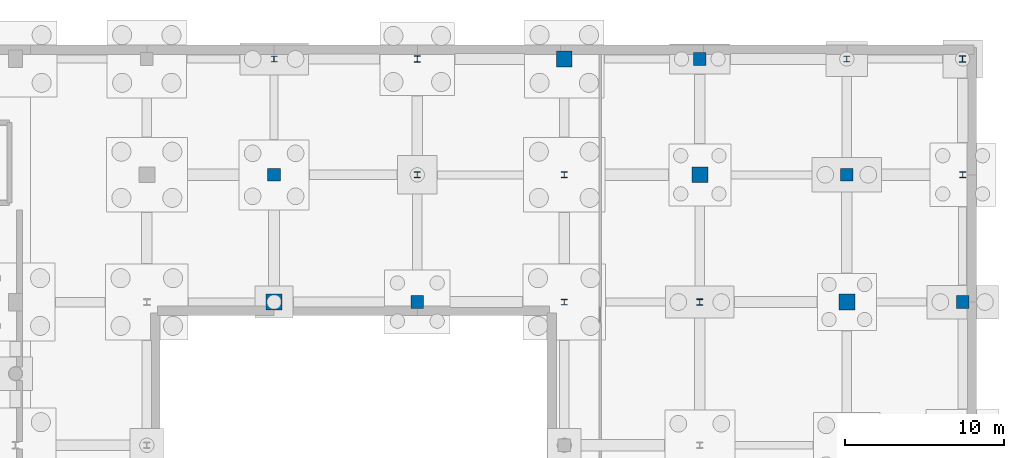
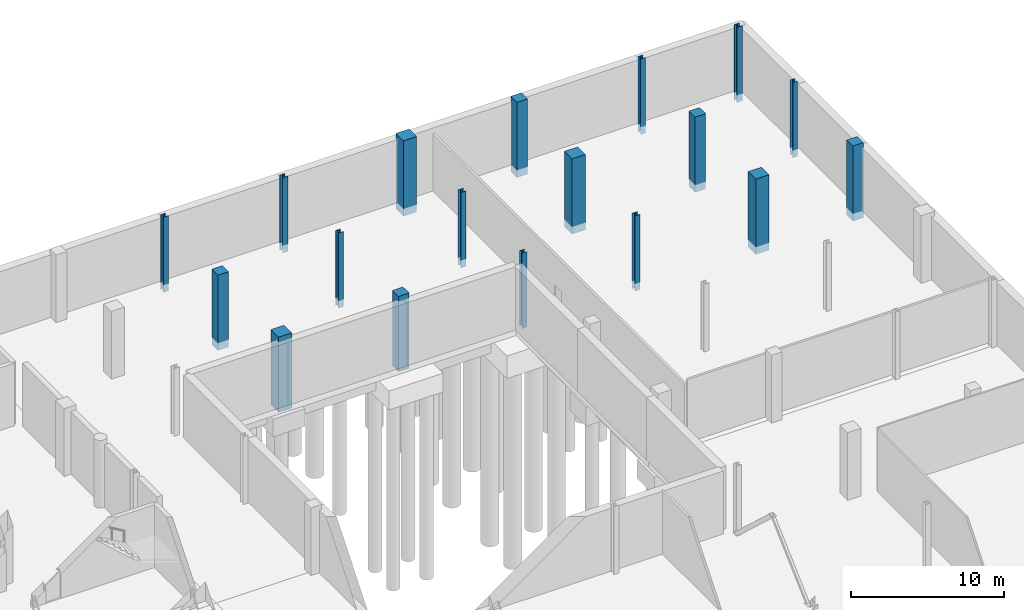
# One storey, part 35 of 60: 18 columns.
"""IFC4 building model written with IfcOpenShell, lengths in metres."""

from ifc_helpers import new_model, si_unit, direction, frame, origin, origin_2d, place, context, subcontext, project, spatial, rectangle, i_section, extrude, material, material_profile, profile_set, type_object, element, save


model = new_model("IFC4")

# Units and contexts
model_context = context("Model", 3, precision=1e-05, world=origin(), true_north=direction((0.0, 1.0)))
body_context = subcontext(model_context, "Body", "Model", "MODEL_VIEW")
ifc_project = project(units=[si_unit("LENGTHUNIT", "METRE"), si_unit("AREAUNIT", "SQUARE_METRE"), si_unit("VOLUMEUNIT", "CUBIC_METRE"), si_unit("PLANEANGLEUNIT", "RADIAN"), si_unit("MASSUNIT", "GRAM", prefix="KILO")], contexts=[model_context])

# Site, building, storey
site_placement = place(None, origin())
site = spatial("IfcSite", under=ifc_project, at=site_placement, CompositionType="ELEMENT")
building_placement = place(site_placement, origin())
building = spatial("IfcBuilding", under=site, at=building_placement, Name="Trimount Lyric Opera House", CompositionType="ELEMENT")
storey_placement = place(building_placement, frame((0.0, 0.0, -5.39990234375)))
storey = spatial("IfcBuildingStorey", under=building, at=storey_placement, Name="B1", CompositionType="ELEMENT", Elevation=-5.39990234375)

# Columns
ifc_material_1 = material(Name="Steel ASTM A992 Grade 50", Category="steel")
ifc_material_profile_1 = material_profile(ifc_material_1, i_section(OverallWidth=0.39892578125, OverallDepth=0.385986328125, WebThickness=0.02099609375, FlangeThickness=0.033203125, FilletRadius=0.01611328125, at=origin_2d()), Name="W14X176")
ifc_profile_set_1 = profile_set([ifc_material_profile_1], Name="Steel ASTM A992 Grade 50")
column_type_1 = type_object("IfcColumnType", Name="C-03", PredefinedType="COLUMN", material=ifc_profile_set_1)
for number, where, z_axis, x_axis, name in (
    (1, (139.0, 117.280029296875, -0.60009765625), (0.0, 0.0, 1.0), (1.0, 0.0, 0.0), "B1 column 16/P"),
    (2, (148.239990234375, 110.0, -0.60009765625), (0.0, 0.0, 1.0), (1.0, 0.0, 0.0), "B1 column 17/N"),
    (3, (156.760009765625, 102.0, -0.60009765625), (0.0, 0.0, 1.0), (1.0, 0.0, 0.0), "B1 column 18/M"),
    (4, (173.280029296875, 117.280029296875, -0.60009765625), (0.0, 0.0, 1.0), (1.0, 0.0, 0.0), "B1 column 20/P"),
):
    element("IfcColumn", number, at=place(storey_placement, frame(where, z_axis=z_axis, x_axis=x_axis)), inside=storey, type_object=column_type_1, Name=name, PredefinedType="COLUMN", context=body_context, shape_type="SweptSolid", body=[
        extrude(i_section(OverallWidth=0.39892578125, OverallDepth=0.385986328125, WebThickness=0.02099609375, FlangeThickness=0.033203125, FilletRadius=0.01611328125, at=origin_2d()), origin(), (0.0, 0.0, 1.0), 6.0),
    ])
ifc_material_2 = material(Name="Steel ASTM A992 Grade 50", Category="steel")
ifc_material_profile_2 = material_profile(ifc_material_2, i_section(OverallWidth=0.373046875, OverallDepth=0.367919921875, WebThickness=0.014892578125, FlangeThickness=0.02392578125, FilletRadius=0.014892578125, at=origin_2d()), Name="W14X120")
ifc_profile_set_2 = profile_set([ifc_material_profile_2], Name="Steel ASTM A992 Grade 50")
column_type_2 = type_object("IfcColumnType", Name="C-08", PredefinedType="COLUMN", material=ifc_profile_set_2)
for number, where, z_axis, x_axis, name in (
    (5, (130.0, 117.280029296875, -0.60009765625), (0.0, 0.0, 1.0), (1.0, 0.0, 0.0), "B1 column 15/P"),
    (6, (139.0, 110.0, -0.60009765625), (0.0, 0.0, 1.0), (1.0, 0.0, 0.0), "B1 column 16/N"),
    (7, (148.239990234375, 102.0, -0.60009765625), (0.0, 0.0, 1.0), (1.0, 0.0, 0.0), "B1 column 17/M"),
    (8, (166.0, 117.280029296875, -0.60009765625), (0.0, 0.0, 1.0), (1.0, 0.0, 0.0), "B1 column 19/P"),
    (9, (173.280029296875, 110.0, -0.60009765625), (0.0, 0.0, 1.0), (1.0, 0.0, 0.0), "B1 column 20/N"),
):
    element("IfcColumn", number, at=place(storey_placement, frame(where, z_axis=z_axis, x_axis=x_axis)), inside=storey, type_object=column_type_2, Name=name, PredefinedType="COLUMN", context=body_context, shape_type="SweptSolid", body=[
        extrude(i_section(OverallWidth=0.373046875, OverallDepth=0.367919921875, WebThickness=0.014892578125, FlangeThickness=0.02392578125, FilletRadius=0.014892578125, at=origin_2d()), origin(), (0.0, 0.0, 1.0), 6.0),
    ])
ifc_material_3 = material(Name="Concrete C50/60", Category="concrete")
ifc_material_profile_3 = material_profile(ifc_material_3, rectangle(XDim=1.0, YDim=1.0, at=origin_2d()), Name="RC1000X1000")
ifc_profile_set_3 = profile_set([ifc_material_profile_3], Name="Concrete C50/60")
column_type_3 = type_object("IfcColumnType", Name="C-12", PredefinedType="COLUMN", material=ifc_profile_set_3)
for number, where, z_axis, x_axis, name in (
    (10, (130.0, 102.0, -0.60009765625), (0.0, 0.0, 1.0), (1.0, 0.0, 0.0), "B1 column 15/M"),
    (11, (148.239990234375, 117.280029296875, -0.60009765625), (0.0, 0.0, 1.0), (1.0, 0.0, 0.0), "B1 column 17/P"),
    (12, (156.760009765625, 110.0, -0.60009765625), (0.0, 0.0, 1.0), (1.0, 0.0, 0.0), "B1 column 18/N"),
    (13, (166.0, 102.0, -0.60009765625), (0.0, 0.0, 1.0), (1.0, 0.0, 0.0), "B1 column 19/M"),
):
    element("IfcColumn", number, at=place(storey_placement, frame(where, z_axis=z_axis, x_axis=x_axis)), inside=storey, type_object=column_type_3, Name=name, PredefinedType="COLUMN", context=body_context, shape_type="SweptSolid", body=[
        extrude(rectangle(XDim=1.0, YDim=1.0, at=origin_2d()), origin(), (0.0, 0.0, 1.0), 6.0),
    ])
ifc_material_4 = material(Name="Concrete C40/50", Category="concrete")
ifc_material_profile_4 = material_profile(ifc_material_4, rectangle(XDim=0.800048828125, YDim=0.800048828125, at=origin_2d()), Name="RC800X800")
ifc_profile_set_4 = profile_set([ifc_material_profile_4], Name="Concrete C40/50")
column_type_4 = type_object("IfcColumnType", Name="C-14", PredefinedType="COLUMN", material=ifc_profile_set_4)
for number, where, z_axis, x_axis, name in (
    (14, (130.0, 110.0, -0.60009765625), (0.0, 0.0, 1.0), (1.0, 0.0, 0.0), "B1 column 15/N"),
    (15, (139.0, 102.0, -0.60009765625), (0.0, 0.0, 1.0), (1.0, 0.0, 0.0), "B1 column 16/M"),
    (16, (156.760009765625, 117.280029296875, -0.60009765625), (0.0, 0.0, 1.0), (1.0, 0.0, 0.0), "B1 column 18/P"),
    (17, (166.0, 110.0, -0.60009765625), (0.0, 0.0, 1.0), (1.0, 0.0, 0.0), "B1 column 19/N"),
    (18, (173.280029296875, 102.0, -0.60009765625), (0.0, 0.0, 1.0), (1.0, 0.0, 0.0), "B1 column 20/M"),
):
    element("IfcColumn", number, at=place(storey_placement, frame(where, z_axis=z_axis, x_axis=x_axis)), inside=storey, type_object=column_type_4, Name=name, PredefinedType="COLUMN", context=body_context, shape_type="SweptSolid", body=[
        extrude(rectangle(XDim=0.800048828125, YDim=0.800048828125, at=origin_2d()), origin(), (0.0, 0.0, 1.0), 6.0),
    ])

save(model, "model.ifc")
